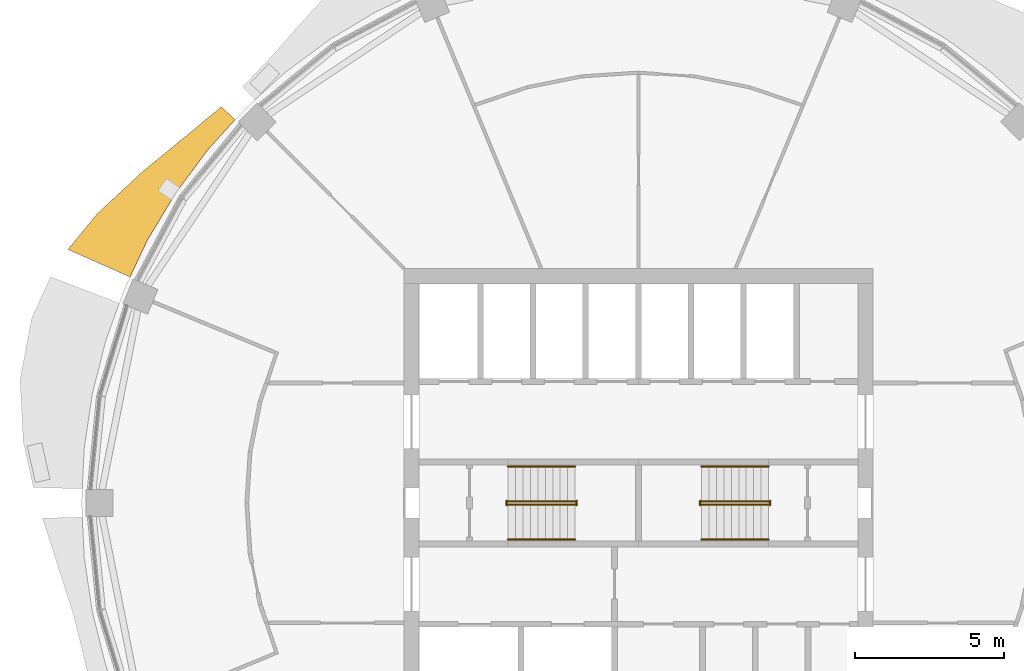
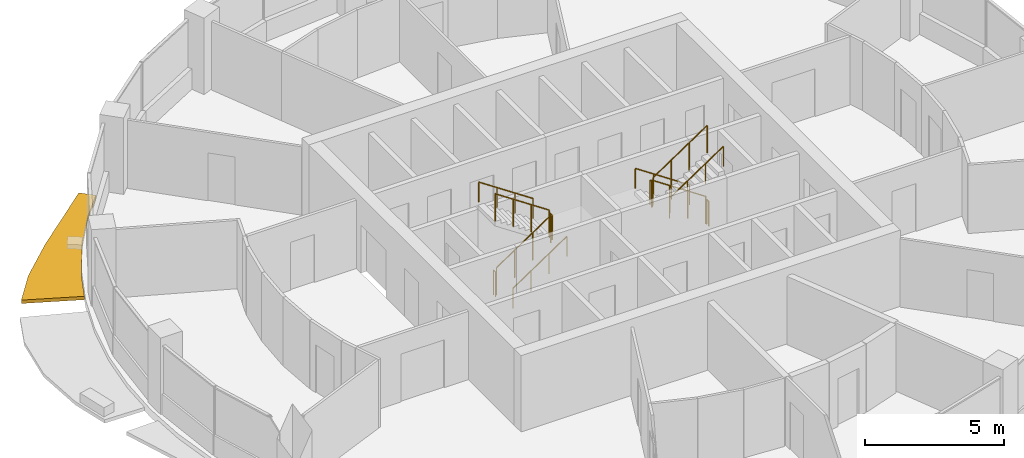
# One storey, part 13 of 15: 12 railings, 1 shading device.
"""IFC4 building model written with IfcOpenShell, lengths in metres."""

from ifc_helpers import new_model, si_unit, direction, frame, origin, origin_2d, place, context, subcontext, project, spatial, polyline, circle, outline, extrude, material, type_object, element, save


model = new_model("IFC4")

# Units and contexts
model_context = context("Model", 3, precision=1e-05, world=origin(), true_north=direction((0.0, 1.0)))
body_context = subcontext(model_context, "Body", "Model", "MODEL_VIEW")
ifc_project = project(units=[si_unit("LENGTHUNIT", "METRE"), si_unit("AREAUNIT", "SQUARE_METRE"), si_unit("VOLUMEUNIT", "CUBIC_METRE"), si_unit("PLANEANGLEUNIT", "RADIAN"), si_unit("MASSUNIT", "GRAM", prefix="KILO")], contexts=[model_context])

# Site, building, storey
site_placement = place(None, origin())
site = spatial("IfcSite", under=ifc_project, at=site_placement, CompositionType="ELEMENT")
building_placement = place(site_placement, origin())
building = spatial("IfcBuilding", under=site, at=building_placement, Name="Polderwave Tower", CompositionType="ELEMENT")
storey_placement = place(building_placement, frame((0.0, 0.0, 167.550048828125)))
storey = spatial("IfcBuildingStorey", under=building, at=storey_placement, Name="L44", CompositionType="ELEMENT", Elevation=167.550048828125)

# Railings
ifc_material_1 = material(Name="Stainless steel", Category="steel")
railing_type_1 = type_object("IfcRailingType", Name="Stair guard 1100", PredefinedType="GUARDRAIL", material=ifc_material_1)
railing_1_placement = place(storey_placement, frame((-4.3740234375, -0.051025390625, 0.04736328125)))
element("IfcRailing", 1, at=railing_1_placement, inside=storey, type_object=railing_type_1, Name="L44 ST-A stair guard 1", PredefinedType="GUARDRAIL", context=body_context, shape_type="SweptSolid", body=[
    extrude(circle(Radius=0.02392578125, at=origin_2d()), frame((0.0, 0.0, 1.1962890625), z_axis=(0.830758306289, 0.0, 0.556633305266), x_axis=(0.0, 1.0, 0.0)), (0.0, 0.0, 1.0), 2.708251953125),
    extrude(circle(Radius=0.02392578125, at=origin_2d()), origin(), (0.0, 0.0, 1.0), 1.172119140625),
    extrude(circle(Radius=0.02392578125, at=origin_2d()), frame((0.75, 0.0, 0.50244140625)), (0.0, 0.0, 1.0), 1.172119140625),
    extrude(circle(Radius=0.02392578125, at=origin_2d()), frame((1.5, 0.0, 1.005126953125)), (0.0, 0.0, 1.0), 1.172119140625),
    extrude(circle(Radius=0.02392578125, at=origin_2d()), frame((2.25, 0.0, 1.507568359375)), (0.0, 0.0, 1.0), 1.172119140625),
])
railing_2_placement = place(storey_placement, frame((-2.073974609375, -0.074951171875, 1.675048828125)))
element("IfcRailing", 2, at=railing_2_placement, inside=storey, type_object=railing_type_1, Name="L44 ST-A stair guard 2", PredefinedType="GUARDRAIL", context=body_context, shape_type="SweptSolid", body=[
    extrude(circle(Radius=0.02392578125, at=origin_2d()), frame((0.0, 0.0, 1.076171875), z_axis=(0.0, 1.0, 0.0), x_axis=(-1.0, 0.0, 0.0)), (0.0, 0.0, 1.0), 0.14990234375),
    extrude(circle(Radius=0.02099609375, at=origin_2d()), origin(), (0.0, 0.0, 1.0), 1.052001953125),
    extrude(circle(Radius=0.02099609375, at=origin_2d()), frame((0.0, 0.14990234375, 0.0)), (0.0, 0.0, 1.0), 1.052001953125),
])
railing_3_placement = place(storey_placement, frame((-2.1240234375, 0.051025390625, 1.722412109375)))
element("IfcRailing", 3, at=railing_3_placement, inside=storey, type_object=railing_type_1, Name="L44 ST-A stair guard 3", PredefinedType="GUARDRAIL", context=body_context, shape_type="SweptSolid", body=[
    extrude(circle(Radius=0.02392578125, at=origin_2d()), frame((0.0, 0.0, 1.1962890625), z_axis=(-0.830799990696, 0.0, 0.556571087517), x_axis=(0.0, -1.0, 0.0)), (0.0, 0.0, 1.0), 2.708251953125),
    extrude(circle(Radius=0.02392578125, at=origin_2d()), origin(), (0.0, 0.0, 1.0), 1.172119140625),
    extrude(circle(Radius=0.02392578125, at=origin_2d()), frame((-0.75, 0.0, 0.50244140625)), (0.0, 0.0, 1.0), 1.172119140625),
    extrude(circle(Radius=0.02392578125, at=origin_2d()), frame((-1.5, 0.0, 1.0048828125)), (0.0, 0.0, 1.0), 1.172119140625),
    extrude(circle(Radius=0.02392578125, at=origin_2d()), frame((-2.25, 0.0, 1.50732421875)), (0.0, 0.0, 1.0), 1.172119140625),
])
railing_4_placement = place(storey_placement, frame((-4.424072265625, -0.074951171875, 0.0)))
element("IfcRailing", 4, at=railing_4_placement, inside=storey, type_object=railing_type_1, Name="L44 ST-A stair guard 4", PredefinedType="GUARDRAIL", context=body_context, shape_type="SweptSolid", body=[
    extrude(circle(Radius=0.02392578125, at=origin_2d()), frame((0.0, 0.0, 1.076171875), z_axis=(0.0, 1.0, 0.0), x_axis=(-1.0, 0.0, 0.0)), (0.0, 0.0, 1.0), 0.14990234375),
    extrude(circle(Radius=0.02099609375, at=origin_2d()), origin(), (0.0, 0.0, 1.0), 1.052001953125),
    extrude(circle(Radius=0.02099609375, at=origin_2d()), frame((0.0, 0.14990234375, 0.0)), (0.0, 0.0, 1.0), 1.052001953125),
])
railing_5_placement = place(storey_placement, frame((4.3740234375, 0.051025390625, 0.04736328125)))
element("IfcRailing", 5, at=railing_5_placement, inside=storey, type_object=railing_type_1, Name="L44 ST-B stair guard 1", PredefinedType="GUARDRAIL", context=body_context, shape_type="SweptSolid", body=[
    extrude(circle(Radius=0.02392578125, at=origin_2d()), frame((0.0, 0.0, 1.1962890625), z_axis=(-0.830758306289, 0.0, 0.556633305266), x_axis=(0.0, -1.0, 0.0)), (0.0, 0.0, 1.0), 2.708251953125),
    extrude(circle(Radius=0.02392578125, at=origin_2d()), origin(), (0.0, 0.0, 1.0), 1.172119140625),
    extrude(circle(Radius=0.02392578125, at=origin_2d()), frame((-0.75, 0.0, 0.50244140625)), (0.0, 0.0, 1.0), 1.172119140625),
    extrude(circle(Radius=0.02392578125, at=origin_2d()), frame((-1.5, 0.0, 1.005126953125)), (0.0, 0.0, 1.0), 1.172119140625),
    extrude(circle(Radius=0.02392578125, at=origin_2d()), frame((-2.25, 0.0, 1.507568359375)), (0.0, 0.0, 1.0), 1.172119140625),
])
railing_6_placement = place(storey_placement, frame((2.073974609375, 0.074951171875, 1.675048828125)))
element("IfcRailing", 6, at=railing_6_placement, inside=storey, type_object=railing_type_1, Name="L44 ST-B stair guard 2", PredefinedType="GUARDRAIL", context=body_context, shape_type="SweptSolid", body=[
    extrude(circle(Radius=0.02392578125, at=origin_2d()), frame((0.0, 0.0, 1.076171875), z_axis=(0.0, -1.0, 0.0), x_axis=(1.0, 0.0, 0.0)), (0.0, 0.0, 1.0), 0.14990234375),
    extrude(circle(Radius=0.02099609375, at=origin_2d()), origin(), (0.0, 0.0, 1.0), 1.052001953125),
    extrude(circle(Radius=0.02099609375, at=origin_2d()), frame((0.0, -0.14990234375, 0.0)), (0.0, 0.0, 1.0), 1.052001953125),
])
railing_7_placement = place(storey_placement, frame((2.1240234375, -0.051025390625, 1.722412109375)))
element("IfcRailing", 7, at=railing_7_placement, inside=storey, type_object=railing_type_1, Name="L44 ST-B stair guard 3", PredefinedType="GUARDRAIL", context=body_context, shape_type="SweptSolid", body=[
    extrude(circle(Radius=0.02392578125, at=origin_2d()), frame((0.0, 0.0, 1.1962890625), z_axis=(0.830799990696, 0.0, 0.556571087517), x_axis=(0.0, 1.0, 0.0)), (0.0, 0.0, 1.0), 2.708251953125),
    extrude(circle(Radius=0.02392578125, at=origin_2d()), origin(), (0.0, 0.0, 1.0), 1.172119140625),
    extrude(circle(Radius=0.02392578125, at=origin_2d()), frame((0.75, 0.0, 0.50244140625)), (0.0, 0.0, 1.0), 1.172119140625),
    extrude(circle(Radius=0.02392578125, at=origin_2d()), frame((1.5, 0.0, 1.0048828125)), (0.0, 0.0, 1.0), 1.172119140625),
    extrude(circle(Radius=0.02392578125, at=origin_2d()), frame((2.25, 0.0, 1.50732421875)), (0.0, 0.0, 1.0), 1.172119140625),
])
railing_8_placement = place(storey_placement, frame((4.424072265625, 0.074951171875, 0.0)))
element("IfcRailing", 8, at=railing_8_placement, inside=storey, type_object=railing_type_1, Name="L44 ST-B stair guard 4", PredefinedType="GUARDRAIL", context=body_context, shape_type="SweptSolid", body=[
    extrude(circle(Radius=0.02392578125, at=origin_2d()), frame((0.0, 0.0, 1.076171875), z_axis=(0.0, -1.0, 0.0), x_axis=(1.0, 0.0, 0.0)), (0.0, 0.0, 1.0), 0.14990234375),
    extrude(circle(Radius=0.02099609375, at=origin_2d()), origin(), (0.0, 0.0, 1.0), 1.052001953125),
    extrude(circle(Radius=0.02099609375, at=origin_2d()), frame((0.0, -0.14990234375, 0.0)), (0.0, 0.0, 1.0), 1.052001953125),
])
railing_type_2 = type_object("IfcRailingType", Name="Stair handrail 900", PredefinedType="HANDRAIL", material=ifc_material_1)
railing_9_placement = place(storey_placement, frame((-4.3740234375, -1.22509765625, 0.16748046875)))
element("IfcRailing", 9, at=railing_9_placement, inside=storey, type_object=railing_type_2, Name="L44 ST-A stair handrail 1", PredefinedType="HANDRAIL", context=body_context, shape_type="SweptSolid", body=[
    extrude(circle(Radius=0.02392578125, at=origin_2d()), frame((0.0, 0.0, 0.8759765625), z_axis=(0.830758306289, 0.0, 0.556633305266), x_axis=(0.0, 1.0, 0.0)), (0.0, 0.0, 1.0), 2.708251953125),
    extrude(circle(Radius=0.02099609375, at=origin_2d()), origin(), (0.0, 0.0, 1.0), 0.851806640625),
    extrude(circle(Radius=0.02099609375, at=origin_2d()), frame((0.75, 0.0, 0.50244140625)), (0.0, 0.0, 1.0), 0.851806640625),
    extrude(circle(Radius=0.02099609375, at=origin_2d()), frame((1.5, 0.0, 1.005126953125)), (0.0, 0.0, 1.0), 0.851806640625),
    extrude(circle(Radius=0.02099609375, at=origin_2d()), frame((2.25, 0.0, 1.507568359375)), (0.0, 0.0, 1.0), 0.851806640625),
])
railing_10_placement = place(storey_placement, frame((-2.1240234375, 1.22509765625, 1.842529296875)))
element("IfcRailing", 10, at=railing_10_placement, inside=storey, type_object=railing_type_2, Name="L44 ST-A stair handrail 2", PredefinedType="HANDRAIL", context=body_context, shape_type="SweptSolid", body=[
    extrude(circle(Radius=0.02392578125, at=origin_2d()), frame((0.0, 0.0, 0.8759765625), z_axis=(-0.830799990696, 0.0, 0.556571087517), x_axis=(0.0, -1.0, 0.0)), (0.0, 0.0, 1.0), 2.708251953125),
    extrude(circle(Radius=0.02099609375, at=origin_2d()), origin(), (0.0, 0.0, 1.0), 0.851806640625),
    extrude(circle(Radius=0.02099609375, at=origin_2d()), frame((-0.75, 0.0, 0.50244140625)), (0.0, 0.0, 1.0), 0.851806640625),
    extrude(circle(Radius=0.02099609375, at=origin_2d()), frame((-1.5, 0.0, 1.0048828125)), (0.0, 0.0, 1.0), 0.851806640625),
    extrude(circle(Radius=0.02099609375, at=origin_2d()), frame((-2.25, 0.0, 1.50732421875)), (0.0, 0.0, 1.0), 0.851806640625),
])
railing_11_placement = place(storey_placement, frame((4.3740234375, 1.22509765625, 0.16748046875)))
element("IfcRailing", 11, at=railing_11_placement, inside=storey, type_object=railing_type_2, Name="L44 ST-B stair handrail 1", PredefinedType="HANDRAIL", context=body_context, shape_type="SweptSolid", body=[
    extrude(circle(Radius=0.02392578125, at=origin_2d()), frame((0.0, 0.0, 0.8759765625), z_axis=(-0.830758306289, 0.0, 0.556633305266), x_axis=(0.0, -1.0, 0.0)), (0.0, 0.0, 1.0), 2.708251953125),
    extrude(circle(Radius=0.02099609375, at=origin_2d()), origin(), (0.0, 0.0, 1.0), 0.851806640625),
    extrude(circle(Radius=0.02099609375, at=origin_2d()), frame((-0.75, 0.0, 0.50244140625)), (0.0, 0.0, 1.0), 0.851806640625),
    extrude(circle(Radius=0.02099609375, at=origin_2d()), frame((-1.5, 0.0, 1.005126953125)), (0.0, 0.0, 1.0), 0.851806640625),
    extrude(circle(Radius=0.02099609375, at=origin_2d()), frame((-2.25, 0.0, 1.507568359375)), (0.0, 0.0, 1.0), 0.851806640625),
])
railing_12_placement = place(storey_placement, frame((2.1240234375, -1.22509765625, 1.842529296875)))
element("IfcRailing", 12, at=railing_12_placement, inside=storey, type_object=railing_type_2, Name="L44 ST-B stair handrail 2", PredefinedType="HANDRAIL", context=body_context, shape_type="SweptSolid", body=[
    extrude(circle(Radius=0.02392578125, at=origin_2d()), frame((0.0, 0.0, 0.8759765625), z_axis=(0.830799990696, 0.0, 0.556571087517), x_axis=(0.0, 1.0, 0.0)), (0.0, 0.0, 1.0), 2.708251953125),
    extrude(circle(Radius=0.02099609375, at=origin_2d()), origin(), (0.0, 0.0, 1.0), 0.851806640625),
    extrude(circle(Radius=0.02099609375, at=origin_2d()), frame((0.75, 0.0, 0.50244140625)), (0.0, 0.0, 1.0), 0.851806640625),
    extrude(circle(Radius=0.02099609375, at=origin_2d()), frame((1.5, 0.0, 1.0048828125)), (0.0, 0.0, 1.0), 0.851806640625),
    extrude(circle(Radius=0.02099609375, at=origin_2d()), frame((2.25, 0.0, 1.50732421875)), (0.0, 0.0, 1.0), 0.851806640625),
])

# Shading device
ifc_material_2 = material(Name="Terracotta", Category="masonry")
shading_device_type = type_object("IfcShadingDeviceType", Name="Terracotta sunshade band", PredefinedType="USERDEFINED", material=ifc_material_2)
shading_device_placement = place(storey_placement, frame((0.0, 0.0, -0.35009765625)))
element("IfcShadingDevice", 13, at=shading_device_placement, inside=storey, type_object=shading_device_type, Name="Sunshade band L44 7", ObjectType="SUNSHADE", PredefinedType="USERDEFINED", context=body_context, shape_type="SweptSolid", body=[
    extrude(outline(polyline([(-13.543212890625, 12.86962890625), (-14.455322265625, 11.86328125), (-15.548583984375, 10.38916015625), (-16.491943359375, 8.815185546875), (-17.07275390625, 7.587158203125), (-19.156982421875, 8.513427734375), (-18.17431640625, 9.71435546875), (-16.652099609375, 11.12646484375), (-15.103515625, 12.395263671875), (-14.004150390625, 13.307861328125), (-13.543212890625, 12.86962890625)])), origin(), (0.0, 0.0, 1.0), 0.150146484375),
])

save(model, "model.ifc")
